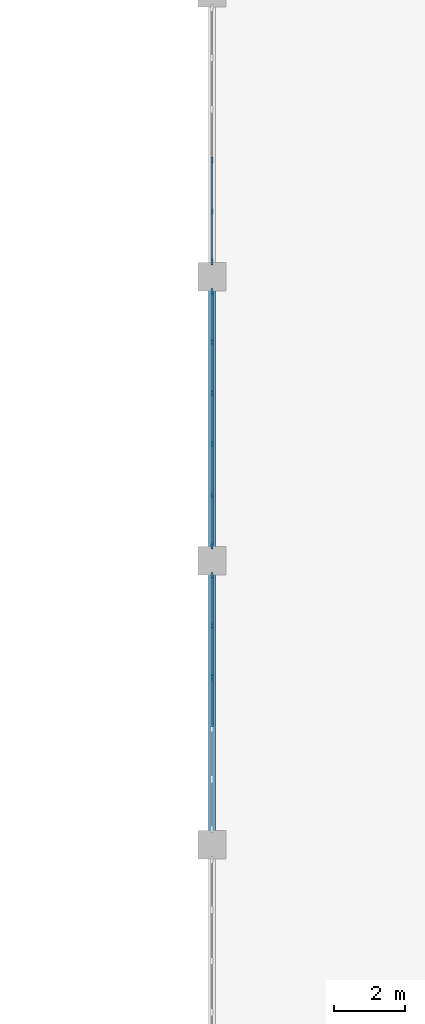
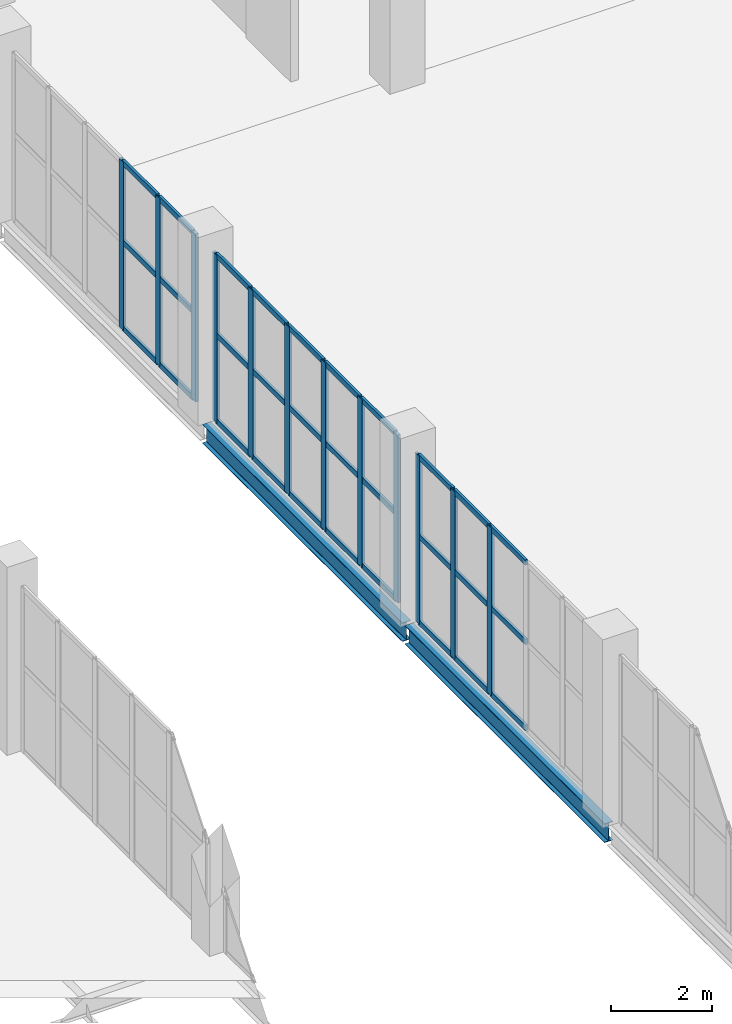
# One storey, part 25 of 93: 42 members, 2 beams, 3 elements without a shape of their own.
"""IFC4 building model written with IfcOpenShell, lengths in metres."""

from ifc_helpers import new_model, si_unit, direction, frame, origin, origin_2d, place, context, subcontext, project, spatial, rectangle, i_section, extrude, material, layer, layer_set, material_profile, profile_set, type_object, element, aggregate, save


model = new_model("IFC4")

# Units and contexts
model_context = context("Model", 3, precision=1e-05, world=origin(), true_north=direction((0.0, 1.0)))
body_context = subcontext(model_context, "Body", "Model", "MODEL_VIEW")
ifc_project = project(units=[si_unit("LENGTHUNIT", "METRE"), si_unit("AREAUNIT", "SQUARE_METRE"), si_unit("VOLUMEUNIT", "CUBIC_METRE"), si_unit("PLANEANGLEUNIT", "RADIAN"), si_unit("MASSUNIT", "GRAM", prefix="KILO")], contexts=[model_context])

# Site, building, storey
site_placement = place(None, origin())
site = spatial("IfcSite", under=ifc_project, at=site_placement, CompositionType="ELEMENT")
building_placement = place(site_placement, origin())
building = spatial("IfcBuilding", under=site, at=building_placement, Name="Marnock Terrace Opera House", CompositionType="ELEMENT")
storey_placement = place(building_placement, frame((0.0, 0.0, 5.39990234375)))
storey = spatial("IfcBuildingStorey", under=building, at=storey_placement, Name="L01", CompositionType="ELEMENT", Elevation=5.39990234375)

# Beams
ifc_material_1 = material(Name="Steel Grade 350 (AS/NZS 3679.1)", Category="steel")
ifc_material_profile_1 = material_profile(ifc_material_1, i_section(OverallWidth=0.18994140625, OverallDepth=0.45751953125, WebThickness=0.009033203125, FlangeThickness=0.014404296875, FilletRadius=0.011474609375, at=origin_2d()))
ifc_profile_set_1 = profile_set([ifc_material_profile_1], Name="Steel Grade 350 (AS/NZS 3679.1)")
beam_type = type_object("IfcBeamType", Name="BM-GIRD-460B", PredefinedType="BEAM", material=ifc_profile_set_1)
for number, where, z_axis, x_axis, name in (
    (1, (55.0, 16.050048828125, -0.508544921875), (0.0, 1.0, 0.0), (-1.0, 0.0, 0.0), "L01 girder (X=55.0, 16.0..24.0)"),
    (2, (55.0, 24.050048828125, -0.508544921875), (0.0, 1.0, 0.0), (-1.0, 0.0, 0.0), "L01 girder (X=55.0, 24.0..32.0)"),
):
    element("IfcBeam", number, at=place(storey_placement, frame(where, z_axis=z_axis, x_axis=x_axis)), inside=storey, type_object=beam_type, Name=name, PredefinedType="BEAM", context=body_context, shape_type="SweptSolid", body=[
        extrude(i_section(OverallWidth=0.18994140625, OverallDepth=0.45751953125, WebThickness=0.009033203125, FlangeThickness=0.014404296875, FilletRadius=0.011474609375, at=origin_2d()), origin(), (0.0, 0.0, 1.0), 7.89990234375),
    ])

# Curtain wall, members
ifc_material_2 = material(Name="Anodised architectural bronze aluminium framing", Category="aluminium")
ifc_layer = layer(ifc_material_2, 0.159912109375)
ifc_layer_set = layer_set([ifc_layer], Name="Anodised architectural bronze aluminium framing")
curtain_wall_type = type_object("IfcCurtainWallType", Name="CW-FOYER-80x45", PredefinedType="NOTDEFINED", material=ifc_layer_set)
curtain_wall_1_placement = place(storey_placement, origin())
curtain_wall_1 = element("IfcCurtainWall", 3, at=curtain_wall_1_placement, inside=storey, type_object=curtain_wall_type, Name="L01 glazed Beaux-Arts colonnade curtain wall CW-V1W-L01-02", PredefinedType="NOTDEFINED")
ifc_material_profile_2 = material_profile(ifc_material_2, rectangle(XDim=0.06494140625, YDim=0.179931640625, at=origin_2d()))
ifc_profile_set_2 = profile_set([ifc_material_profile_2], Name="Anodised architectural bronze aluminium framing")
member_type_1 = type_object("IfcMemberType", Name="CWM-65x180", PredefinedType="MULLION", material=ifc_profile_set_2)
member_1_placement = place(storey_placement, frame((55.0, 20.720703125, 0.0), z_axis=(0.0, 0.0, 1.0), x_axis=(-1.0, 0.0, 0.0)))
member_1 = element("IfcMember", 4, at=member_1_placement, type_object=member_type_1, Name="CW-87 mullion 4", PredefinedType="MULLION", context=body_context, shape_type="SweptSolid", body=[
    extrude(rectangle(XDim=0.06494140625, YDim=0.179931640625, at=origin_2d()), origin(), (0.0, 0.0, 1.0), 4.052734375),
])
member_2_placement = place(storey_placement, frame((55.0, 22.162353515625, 0.0), z_axis=(0.0, 0.0, 1.0), x_axis=(-1.0, 0.0, 0.0)))
member_2 = element("IfcMember", 5, at=member_2_placement, type_object=member_type_1, Name="CW-87 mullion 5", PredefinedType="MULLION", context=body_context, shape_type="SweptSolid", body=[
    extrude(rectangle(XDim=0.06494140625, YDim=0.179931640625, at=origin_2d()), origin(), (0.0, 0.0, 1.0), 4.052734375),
])
member_3_placement = place(storey_placement, frame((55.0, 23.573974609375, 0.0), z_axis=(0.0, 0.0, 1.0), x_axis=(-1.0, 0.0, 0.0)))
member_3 = element("IfcMember", 6, at=member_3_placement, type_object=member_type_1, Name="CW-87 mullion 6", PredefinedType="MULLION", context=body_context, shape_type="SweptSolid", body=[
    extrude(rectangle(XDim=0.06494140625, YDim=0.179931640625, at=origin_2d()), origin(), (0.0, 0.0, 1.0), 4.052734375),
])

curtain_wall_2_placement = place(storey_placement, origin())
curtain_wall_2 = element("IfcCurtainWall", 7, at=curtain_wall_2_placement, inside=storey, type_object=curtain_wall_type, Name="L01 glazed Beaux-Arts colonnade curtain wall CW-V1W-L01-03", PredefinedType="NOTDEFINED")
member_4_placement = place(storey_placement, frame((55.0, 24.426025390625, 0.0), z_axis=(0.0, 0.0, 1.0), x_axis=(-1.0, 0.0, 0.0)))
member_4 = element("IfcMember", 8, at=member_4_placement, type_object=member_type_1, Name="CW-87 mullion 1", PredefinedType="MULLION", context=body_context, shape_type="SweptSolid", body=[
    extrude(rectangle(XDim=0.06494140625, YDim=0.179931640625, at=origin_2d()), origin(), (0.0, 0.0, 1.0), 4.052734375),
])
member_5_placement = place(storey_placement, frame((55.0, 25.837646484375, 0.0), z_axis=(0.0, 0.0, 1.0), x_axis=(-1.0, 0.0, 0.0)))
member_5 = element("IfcMember", 9, at=member_5_placement, type_object=member_type_1, Name="CW-87 mullion 2", PredefinedType="MULLION", context=body_context, shape_type="SweptSolid", body=[
    extrude(rectangle(XDim=0.06494140625, YDim=0.179931640625, at=origin_2d()), origin(), (0.0, 0.0, 1.0), 4.052734375),
])
member_6_placement = place(storey_placement, frame((55.0, 27.279296875, 0.0), z_axis=(0.0, 0.0, 1.0), x_axis=(-1.0, 0.0, 0.0)))
member_6 = element("IfcMember", 10, at=member_6_placement, type_object=member_type_1, Name="CW-87 mullion 3", PredefinedType="MULLION", context=body_context, shape_type="SweptSolid", body=[
    extrude(rectangle(XDim=0.06494140625, YDim=0.179931640625, at=origin_2d()), origin(), (0.0, 0.0, 1.0), 4.052734375),
])
member_7_placement = place(storey_placement, frame((55.0, 28.720703125, 0.0), z_axis=(0.0, 0.0, 1.0), x_axis=(-1.0, 0.0, 0.0)))
member_7 = element("IfcMember", 11, at=member_7_placement, type_object=member_type_1, Name="CW-87 mullion 4", PredefinedType="MULLION", context=body_context, shape_type="SweptSolid", body=[
    extrude(rectangle(XDim=0.06494140625, YDim=0.179931640625, at=origin_2d()), origin(), (0.0, 0.0, 1.0), 4.052734375),
])
member_8_placement = place(storey_placement, frame((55.0, 30.162353515625, 0.0), z_axis=(0.0, 0.0, 1.0), x_axis=(-1.0, 0.0, 0.0)))
member_8 = element("IfcMember", 12, at=member_8_placement, type_object=member_type_1, Name="CW-87 mullion 5", PredefinedType="MULLION", context=body_context, shape_type="SweptSolid", body=[
    extrude(rectangle(XDim=0.06494140625, YDim=0.179931640625, at=origin_2d()), origin(), (0.0, 0.0, 1.0), 4.052734375),
])
member_9_placement = place(storey_placement, frame((55.0, 31.573974609375, 0.0), z_axis=(0.0, 0.0, 1.0), x_axis=(-1.0, 0.0, 0.0)))
member_9 = element("IfcMember", 13, at=member_9_placement, type_object=member_type_1, Name="CW-87 mullion 6", PredefinedType="MULLION", context=body_context, shape_type="SweptSolid", body=[
    extrude(rectangle(XDim=0.06494140625, YDim=0.179931640625, at=origin_2d()), origin(), (0.0, 0.0, 1.0), 4.052734375),
])

curtain_wall_3_placement = place(storey_placement, origin())
curtain_wall_3 = element("IfcCurtainWall", 14, at=curtain_wall_3_placement, inside=storey, type_object=curtain_wall_type, Name="L01 glazed Beaux-Arts colonnade curtain wall CW-V1W-L01-04", PredefinedType="NOTDEFINED")
member_10_placement = place(storey_placement, frame((55.0, 32.426025390625, 0.0), z_axis=(0.0, 0.0, 1.0), x_axis=(-1.0, 0.0, 0.0)))
member_10 = element("IfcMember", 15, at=member_10_placement, type_object=member_type_1, Name="CW-87 mullion 1", PredefinedType="MULLION", context=body_context, shape_type="SweptSolid", body=[
    extrude(rectangle(XDim=0.06494140625, YDim=0.179931640625, at=origin_2d()), origin(), (0.0, 0.0, 1.0), 4.052734375),
])
member_11_placement = place(storey_placement, frame((55.0, 33.837646484375, 0.0), z_axis=(0.0, 0.0, 1.0), x_axis=(-1.0, 0.0, 0.0)))
member_11 = element("IfcMember", 16, at=member_11_placement, type_object=member_type_1, Name="CW-87 mullion 2", PredefinedType="MULLION", context=body_context, shape_type="SweptSolid", body=[
    extrude(rectangle(XDim=0.06494140625, YDim=0.179931640625, at=origin_2d()), origin(), (0.0, 0.0, 1.0), 4.052734375),
])
member_12_placement = place(storey_placement, frame((55.0, 35.279296875, 0.0), z_axis=(0.0, 0.0, 1.0), x_axis=(-1.0, 0.0, 0.0)))
member_12 = element("IfcMember", 17, at=member_12_placement, type_object=member_type_1, Name="CW-87 mullion 3", PredefinedType="MULLION", context=body_context, shape_type="SweptSolid", body=[
    extrude(rectangle(XDim=0.06494140625, YDim=0.179931640625, at=origin_2d()), origin(), (0.0, 0.0, 1.0), 4.052734375),
])

# Member
ifc_material_profile_3 = material_profile(ifc_material_2, rectangle(XDim=0.06005859375, YDim=0.1298828125, at=origin_2d()))
ifc_profile_set_3 = profile_set([ifc_material_profile_3], Name="Anodised architectural bronze aluminium framing")
member_type_2 = type_object("IfcMemberType", Name="CWT-60x130", PredefinedType="USERDEFINED", material=ifc_profile_set_3)
member_13_placement = place(storey_placement, frame((55.0, 19.30908203125, 0.030029296875), z_axis=(0.0, 1.0, 0.0), x_axis=(-1.0, 0.0, 0.0)))
member_13 = element("IfcMember", 18, at=member_13_placement, type_object=member_type_2, Name="CW-87 transom 3.1", ObjectType="TRANSOM", PredefinedType="USERDEFINED", context=body_context, shape_type="SweptSolid", body=[
    extrude(rectangle(XDim=0.06005859375, YDim=0.1298828125, at=origin_2d()), origin(), (0.0, 0.0, 1.0), 1.3818359375),
])

member_14_placement = place(storey_placement, frame((55.0, 19.30908203125, 2.107421875), z_axis=(0.0, 1.0, 0.0), x_axis=(-1.0, 0.0, 0.0)))
member_14 = element("IfcMember", 19, at=member_14_placement, type_object=member_type_2, Name="CW-87 transom 3.2", ObjectType="TRANSOM", PredefinedType="USERDEFINED", context=body_context, shape_type="SweptSolid", body=[
    extrude(rectangle(XDim=0.06005859375, YDim=0.1298828125, at=origin_2d()), origin(), (0.0, 0.0, 1.0), 1.3818359375),
])

member_15_placement = place(storey_placement, frame((55.0, 19.30908203125, 4.022705078125), z_axis=(0.0, 1.0, 0.0), x_axis=(-1.0, 0.0, 0.0)))
member_15 = element("IfcMember", 20, at=member_15_placement, type_object=member_type_2, Name="CW-87 transom 3.3", ObjectType="TRANSOM", PredefinedType="USERDEFINED", context=body_context, shape_type="SweptSolid", body=[
    extrude(rectangle(XDim=0.06005859375, YDim=0.1298828125, at=origin_2d()), origin(), (0.0, 0.0, 1.0), 1.3818359375),
])

member_16_placement = place(storey_placement, frame((55.0, 20.750732421875, 0.030029296875), z_axis=(0.0, 1.0, 0.0), x_axis=(-1.0, 0.0, 0.0)))
member_16 = element("IfcMember", 21, at=member_16_placement, type_object=member_type_2, Name="CW-87 transom 4.1", ObjectType="TRANSOM", PredefinedType="USERDEFINED", context=body_context, shape_type="SweptSolid", body=[
    extrude(rectangle(XDim=0.06005859375, YDim=0.1298828125, at=origin_2d()), origin(), (0.0, 0.0, 1.0), 1.381591796875),
])

member_17_placement = place(storey_placement, frame((55.0, 20.750732421875, 2.107421875), z_axis=(0.0, 1.0, 0.0), x_axis=(-1.0, 0.0, 0.0)))
member_17 = element("IfcMember", 22, at=member_17_placement, type_object=member_type_2, Name="CW-87 transom 4.2", ObjectType="TRANSOM", PredefinedType="USERDEFINED", context=body_context, shape_type="SweptSolid", body=[
    extrude(rectangle(XDim=0.06005859375, YDim=0.1298828125, at=origin_2d()), origin(), (0.0, 0.0, 1.0), 1.381591796875),
])

member_18_placement = place(storey_placement, frame((55.0, 20.750732421875, 4.022705078125), z_axis=(0.0, 1.0, 0.0), x_axis=(-1.0, 0.0, 0.0)))
member_18 = element("IfcMember", 23, at=member_18_placement, type_object=member_type_2, Name="CW-87 transom 4.3", ObjectType="TRANSOM", PredefinedType="USERDEFINED", context=body_context, shape_type="SweptSolid", body=[
    extrude(rectangle(XDim=0.06005859375, YDim=0.1298828125, at=origin_2d()), origin(), (0.0, 0.0, 1.0), 1.381591796875),
])

member_19_placement = place(storey_placement, frame((55.0, 22.1923828125, 0.030029296875), z_axis=(0.0, 1.0, 0.0), x_axis=(-1.0, 0.0, 0.0)))
member_19 = element("IfcMember", 24, at=member_19_placement, type_object=member_type_2, Name="CW-87 transom 5.1", ObjectType="TRANSOM", PredefinedType="USERDEFINED", context=body_context, shape_type="SweptSolid", body=[
    extrude(rectangle(XDim=0.06005859375, YDim=0.1298828125, at=origin_2d()), origin(), (0.0, 0.0, 1.0), 1.3515625),
])

member_20_placement = place(storey_placement, frame((55.0, 22.1923828125, 2.107421875), z_axis=(0.0, 1.0, 0.0), x_axis=(-1.0, 0.0, 0.0)))
member_20 = element("IfcMember", 25, at=member_20_placement, type_object=member_type_2, Name="CW-87 transom 5.2", ObjectType="TRANSOM", PredefinedType="USERDEFINED", context=body_context, shape_type="SweptSolid", body=[
    extrude(rectangle(XDim=0.06005859375, YDim=0.1298828125, at=origin_2d()), origin(), (0.0, 0.0, 1.0), 1.3515625),
])

member_21_placement = place(storey_placement, frame((55.0, 22.1923828125, 4.022705078125), z_axis=(0.0, 1.0, 0.0), x_axis=(-1.0, 0.0, 0.0)))
member_21 = element("IfcMember", 26, at=member_21_placement, type_object=member_type_2, Name="CW-87 transom 5.3", ObjectType="TRANSOM", PredefinedType="USERDEFINED", context=body_context, shape_type="SweptSolid", body=[
    extrude(rectangle(XDim=0.06005859375, YDim=0.1298828125, at=origin_2d()), origin(), (0.0, 0.0, 1.0), 1.3515625),
])

aggregate(curtain_wall_1, [member_1, member_2, member_3, member_13, member_14, member_15, member_16, member_17, member_18, member_19, member_20, member_21])

member_22_placement = place(storey_placement, frame((55.0, 24.4560546875, 0.030029296875), z_axis=(0.0, 1.0, 0.0), x_axis=(-1.0, 0.0, 0.0)))
member_22 = element("IfcMember", 27, at=member_22_placement, type_object=member_type_2, Name="CW-87 transom 1.1", ObjectType="TRANSOM", PredefinedType="USERDEFINED", context=body_context, shape_type="SweptSolid", body=[
    extrude(rectangle(XDim=0.06005859375, YDim=0.1298828125, at=origin_2d()), origin(), (0.0, 0.0, 1.0), 1.3515625),
])

member_23_placement = place(storey_placement, frame((55.0, 24.4560546875, 2.107421875), z_axis=(0.0, 1.0, 0.0), x_axis=(-1.0, 0.0, 0.0)))
member_23 = element("IfcMember", 28, at=member_23_placement, type_object=member_type_2, Name="CW-87 transom 1.2", ObjectType="TRANSOM", PredefinedType="USERDEFINED", context=body_context, shape_type="SweptSolid", body=[
    extrude(rectangle(XDim=0.06005859375, YDim=0.1298828125, at=origin_2d()), origin(), (0.0, 0.0, 1.0), 1.3515625),
])

member_24_placement = place(storey_placement, frame((55.0, 24.4560546875, 4.022705078125), z_axis=(0.0, 1.0, 0.0), x_axis=(-1.0, 0.0, 0.0)))
member_24 = element("IfcMember", 29, at=member_24_placement, type_object=member_type_2, Name="CW-87 transom 1.3", ObjectType="TRANSOM", PredefinedType="USERDEFINED", context=body_context, shape_type="SweptSolid", body=[
    extrude(rectangle(XDim=0.06005859375, YDim=0.1298828125, at=origin_2d()), origin(), (0.0, 0.0, 1.0), 1.3515625),
])

member_25_placement = place(storey_placement, frame((55.0, 25.86767578125, 0.030029296875), z_axis=(0.0, 1.0, 0.0), x_axis=(-1.0, 0.0, 0.0)))
member_25 = element("IfcMember", 30, at=member_25_placement, type_object=member_type_2, Name="CW-87 transom 2.1", ObjectType="TRANSOM", PredefinedType="USERDEFINED", context=body_context, shape_type="SweptSolid", body=[
    extrude(rectangle(XDim=0.06005859375, YDim=0.1298828125, at=origin_2d()), origin(), (0.0, 0.0, 1.0), 1.381591796875),
])

member_26_placement = place(storey_placement, frame((55.0, 25.86767578125, 2.107421875), z_axis=(0.0, 1.0, 0.0), x_axis=(-1.0, 0.0, 0.0)))
member_26 = element("IfcMember", 31, at=member_26_placement, type_object=member_type_2, Name="CW-87 transom 2.2", ObjectType="TRANSOM", PredefinedType="USERDEFINED", context=body_context, shape_type="SweptSolid", body=[
    extrude(rectangle(XDim=0.06005859375, YDim=0.1298828125, at=origin_2d()), origin(), (0.0, 0.0, 1.0), 1.381591796875),
])

member_27_placement = place(storey_placement, frame((55.0, 25.86767578125, 4.022705078125), z_axis=(0.0, 1.0, 0.0), x_axis=(-1.0, 0.0, 0.0)))
member_27 = element("IfcMember", 32, at=member_27_placement, type_object=member_type_2, Name="CW-87 transom 2.3", ObjectType="TRANSOM", PredefinedType="USERDEFINED", context=body_context, shape_type="SweptSolid", body=[
    extrude(rectangle(XDim=0.06005859375, YDim=0.1298828125, at=origin_2d()), origin(), (0.0, 0.0, 1.0), 1.381591796875),
])

member_28_placement = place(storey_placement, frame((55.0, 27.30908203125, 0.030029296875), z_axis=(0.0, 1.0, 0.0), x_axis=(-1.0, 0.0, 0.0)))
member_28 = element("IfcMember", 33, at=member_28_placement, type_object=member_type_2, Name="CW-87 transom 3.1", ObjectType="TRANSOM", PredefinedType="USERDEFINED", context=body_context, shape_type="SweptSolid", body=[
    extrude(rectangle(XDim=0.06005859375, YDim=0.1298828125, at=origin_2d()), origin(), (0.0, 0.0, 1.0), 1.3818359375),
])

member_29_placement = place(storey_placement, frame((55.0, 27.30908203125, 2.107421875), z_axis=(0.0, 1.0, 0.0), x_axis=(-1.0, 0.0, 0.0)))
member_29 = element("IfcMember", 34, at=member_29_placement, type_object=member_type_2, Name="CW-87 transom 3.2", ObjectType="TRANSOM", PredefinedType="USERDEFINED", context=body_context, shape_type="SweptSolid", body=[
    extrude(rectangle(XDim=0.06005859375, YDim=0.1298828125, at=origin_2d()), origin(), (0.0, 0.0, 1.0), 1.3818359375),
])

member_30_placement = place(storey_placement, frame((55.0, 27.30908203125, 4.022705078125), z_axis=(0.0, 1.0, 0.0), x_axis=(-1.0, 0.0, 0.0)))
member_30 = element("IfcMember", 35, at=member_30_placement, type_object=member_type_2, Name="CW-87 transom 3.3", ObjectType="TRANSOM", PredefinedType="USERDEFINED", context=body_context, shape_type="SweptSolid", body=[
    extrude(rectangle(XDim=0.06005859375, YDim=0.1298828125, at=origin_2d()), origin(), (0.0, 0.0, 1.0), 1.3818359375),
])

member_31_placement = place(storey_placement, frame((55.0, 28.750732421875, 0.030029296875), z_axis=(0.0, 1.0, 0.0), x_axis=(-1.0, 0.0, 0.0)))
member_31 = element("IfcMember", 36, at=member_31_placement, type_object=member_type_2, Name="CW-87 transom 4.1", ObjectType="TRANSOM", PredefinedType="USERDEFINED", context=body_context, shape_type="SweptSolid", body=[
    extrude(rectangle(XDim=0.06005859375, YDim=0.1298828125, at=origin_2d()), origin(), (0.0, 0.0, 1.0), 1.381591796875),
])

member_32_placement = place(storey_placement, frame((55.0, 28.750732421875, 2.107421875), z_axis=(0.0, 1.0, 0.0), x_axis=(-1.0, 0.0, 0.0)))
member_32 = element("IfcMember", 37, at=member_32_placement, type_object=member_type_2, Name="CW-87 transom 4.2", ObjectType="TRANSOM", PredefinedType="USERDEFINED", context=body_context, shape_type="SweptSolid", body=[
    extrude(rectangle(XDim=0.06005859375, YDim=0.1298828125, at=origin_2d()), origin(), (0.0, 0.0, 1.0), 1.381591796875),
])

member_33_placement = place(storey_placement, frame((55.0, 28.750732421875, 4.022705078125), z_axis=(0.0, 1.0, 0.0), x_axis=(-1.0, 0.0, 0.0)))
member_33 = element("IfcMember", 38, at=member_33_placement, type_object=member_type_2, Name="CW-87 transom 4.3", ObjectType="TRANSOM", PredefinedType="USERDEFINED", context=body_context, shape_type="SweptSolid", body=[
    extrude(rectangle(XDim=0.06005859375, YDim=0.1298828125, at=origin_2d()), origin(), (0.0, 0.0, 1.0), 1.381591796875),
])

member_34_placement = place(storey_placement, frame((55.0, 30.1923828125, 0.030029296875), z_axis=(0.0, 1.0, 0.0), x_axis=(-1.0, 0.0, 0.0)))
member_34 = element("IfcMember", 39, at=member_34_placement, type_object=member_type_2, Name="CW-87 transom 5.1", ObjectType="TRANSOM", PredefinedType="USERDEFINED", context=body_context, shape_type="SweptSolid", body=[
    extrude(rectangle(XDim=0.06005859375, YDim=0.1298828125, at=origin_2d()), origin(), (0.0, 0.0, 1.0), 1.3515625),
])

member_35_placement = place(storey_placement, frame((55.0, 30.1923828125, 2.107421875), z_axis=(0.0, 1.0, 0.0), x_axis=(-1.0, 0.0, 0.0)))
member_35 = element("IfcMember", 40, at=member_35_placement, type_object=member_type_2, Name="CW-87 transom 5.2", ObjectType="TRANSOM", PredefinedType="USERDEFINED", context=body_context, shape_type="SweptSolid", body=[
    extrude(rectangle(XDim=0.06005859375, YDim=0.1298828125, at=origin_2d()), origin(), (0.0, 0.0, 1.0), 1.3515625),
])

member_36_placement = place(storey_placement, frame((55.0, 30.1923828125, 4.022705078125), z_axis=(0.0, 1.0, 0.0), x_axis=(-1.0, 0.0, 0.0)))
member_36 = element("IfcMember", 41, at=member_36_placement, type_object=member_type_2, Name="CW-87 transom 5.3", ObjectType="TRANSOM", PredefinedType="USERDEFINED", context=body_context, shape_type="SweptSolid", body=[
    extrude(rectangle(XDim=0.06005859375, YDim=0.1298828125, at=origin_2d()), origin(), (0.0, 0.0, 1.0), 1.3515625),
])

aggregate(curtain_wall_2, [member_4, member_5, member_6, member_7, member_8, member_9, member_22, member_23, member_24, member_25, member_26, member_27, member_28, member_29, member_30, member_31, member_32, member_33, member_34, member_35, member_36])

member_37_placement = place(storey_placement, frame((55.0, 32.4560546875, 0.030029296875), z_axis=(0.0, 1.0, 0.0), x_axis=(-1.0, 0.0, 0.0)))
member_37 = element("IfcMember", 42, at=member_37_placement, type_object=member_type_2, Name="CW-87 transom 1.1", ObjectType="TRANSOM", PredefinedType="USERDEFINED", context=body_context, shape_type="SweptSolid", body=[
    extrude(rectangle(XDim=0.06005859375, YDim=0.1298828125, at=origin_2d()), origin(), (0.0, 0.0, 1.0), 1.3515625),
])

member_38_placement = place(storey_placement, frame((55.0, 32.4560546875, 2.107421875), z_axis=(0.0, 1.0, 0.0), x_axis=(-1.0, 0.0, 0.0)))
member_38 = element("IfcMember", 43, at=member_38_placement, type_object=member_type_2, Name="CW-87 transom 1.2", ObjectType="TRANSOM", PredefinedType="USERDEFINED", context=body_context, shape_type="SweptSolid", body=[
    extrude(rectangle(XDim=0.06005859375, YDim=0.1298828125, at=origin_2d()), origin(), (0.0, 0.0, 1.0), 1.3515625),
])

member_39_placement = place(storey_placement, frame((55.0, 32.4560546875, 4.022705078125), z_axis=(0.0, 1.0, 0.0), x_axis=(-1.0, 0.0, 0.0)))
member_39 = element("IfcMember", 44, at=member_39_placement, type_object=member_type_2, Name="CW-87 transom 1.3", ObjectType="TRANSOM", PredefinedType="USERDEFINED", context=body_context, shape_type="SweptSolid", body=[
    extrude(rectangle(XDim=0.06005859375, YDim=0.1298828125, at=origin_2d()), origin(), (0.0, 0.0, 1.0), 1.3515625),
])

member_40_placement = place(storey_placement, frame((55.0, 33.86767578125, 0.030029296875), z_axis=(0.0, 1.0, 0.0), x_axis=(-1.0, 0.0, 0.0)))
member_40 = element("IfcMember", 45, at=member_40_placement, type_object=member_type_2, Name="CW-87 transom 2.1", ObjectType="TRANSOM", PredefinedType="USERDEFINED", context=body_context, shape_type="SweptSolid", body=[
    extrude(rectangle(XDim=0.06005859375, YDim=0.1298828125, at=origin_2d()), origin(), (0.0, 0.0, 1.0), 1.381591796875),
])

member_41_placement = place(storey_placement, frame((55.0, 33.86767578125, 2.107421875), z_axis=(0.0, 1.0, 0.0), x_axis=(-1.0, 0.0, 0.0)))
member_41 = element("IfcMember", 46, at=member_41_placement, type_object=member_type_2, Name="CW-87 transom 2.2", ObjectType="TRANSOM", PredefinedType="USERDEFINED", context=body_context, shape_type="SweptSolid", body=[
    extrude(rectangle(XDim=0.06005859375, YDim=0.1298828125, at=origin_2d()), origin(), (0.0, 0.0, 1.0), 1.381591796875),
])

member_42_placement = place(storey_placement, frame((55.0, 33.86767578125, 4.022705078125), z_axis=(0.0, 1.0, 0.0), x_axis=(-1.0, 0.0, 0.0)))
member_42 = element("IfcMember", 47, at=member_42_placement, type_object=member_type_2, Name="CW-87 transom 2.3", ObjectType="TRANSOM", PredefinedType="USERDEFINED", context=body_context, shape_type="SweptSolid", body=[
    extrude(rectangle(XDim=0.06005859375, YDim=0.1298828125, at=origin_2d()), origin(), (0.0, 0.0, 1.0), 1.381591796875),
])

aggregate(curtain_wall_3, [member_10, member_11, member_12, member_37, member_38, member_39, member_40, member_41, member_42])

save(model, "model.ifc")
